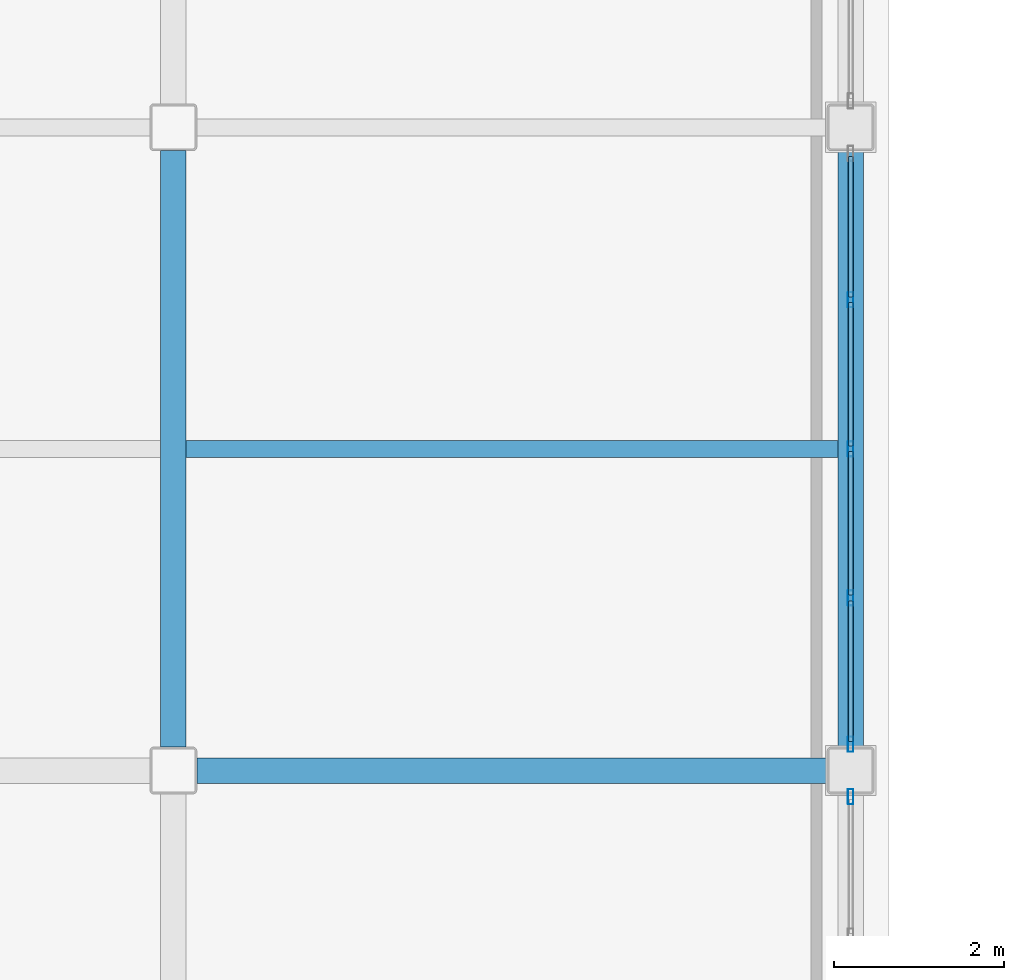
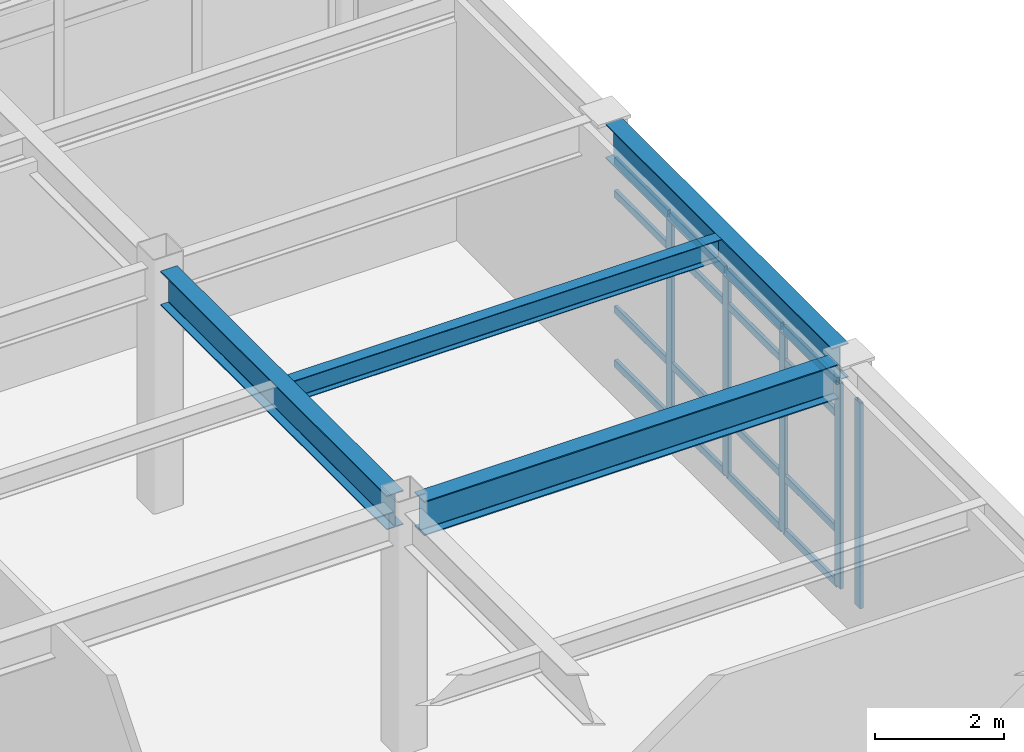
# One storey, part 58 of 154: 21 members, 4 beams, 2 elements without a shape of their own.
"""IFC4 building model written with IfcOpenShell, lengths in metres."""

from ifc_helpers import new_model, si_unit, direction, frame, origin, origin_2d, place, context, subcontext, project, spatial, hollow_rectangle, i_section, extrude, material, layer, layer_set, material_profile, profile_set, type_object, element, aggregate, save


model = new_model("IFC4")

# Units and contexts
model_context = context("Model", 3, precision=1e-05, world=origin(), true_north=direction((0.0, 1.0)))
body_context = subcontext(model_context, "Body", "Model", "MODEL_VIEW")
ifc_project = project(units=[si_unit("LENGTHUNIT", "METRE"), si_unit("AREAUNIT", "SQUARE_METRE"), si_unit("VOLUMEUNIT", "CUBIC_METRE"), si_unit("PLANEANGLEUNIT", "RADIAN"), si_unit("MASSUNIT", "GRAM", prefix="KILO")], contexts=[model_context])

# Site, building, storey
site_placement = place(None, origin())
site = spatial("IfcSite", under=ifc_project, at=site_placement, CompositionType="ELEMENT")
building_placement = place(site_placement, origin())
building = spatial("IfcBuilding", under=site, at=building_placement, Name="Kazehara Bluff Congress Hotel", CompositionType="ELEMENT")
storey_placement = place(building_placement, frame((0.0, 0.0, 10.199951171875)))
storey = spatial("IfcBuildingStorey", under=building, at=storey_placement, Name="L02", CompositionType="ELEMENT", Elevation=10.199951171875)

# Curtain wall, member
ifc_material_1 = material(Name="Anodised aluminium", Category="aluminium")
ifc_layer_1 = layer(ifc_material_1, 0.159912109375)
ifc_layer_set_1 = layer_set([ifc_layer_1], Name="Anodised aluminium")
curtain_wall_type_1 = type_object("IfcCurtainWallType", Name="TP-CW-58", PredefinedType="NOTDEFINED", material=ifc_layer_set_1)
curtain_wall_1_placement = place(storey_placement, origin())
curtain_wall_1 = element("IfcCurtainWall", 1, at=curtain_wall_1_placement, inside=storey, type_object=curtain_wall_type_1, Name="L02 curtain wall CW-58 CW-V4-L02-X10920-3228", PredefinedType="NOTDEFINED")
ifc_material_2 = material(Name="Anodised aluminium", Category="aluminium")
ifc_material_profile_1 = material_profile(ifc_material_2, hollow_rectangle(XDim=0.06494140625, YDim=0.179931640625, WallThickness=0.00390625, InnerFilletRadius=0.00390625, OuterFilletRadius=0.008056640625, at=origin_2d()))
ifc_profile_set_1 = profile_set([ifc_material_profile_1], Name="Anodised aluminium")
member_type_1 = type_object("IfcMemberType", Name="TP-CWM-02", PredefinedType="MULLION", material=ifc_profile_set_1)
member_1_placement = place(storey_placement, frame((109.199951171875, 40.592529296875, 0.0), z_axis=(0.0, 0.0, 1.0), x_axis=(-1.0, 0.0, 0.0)))
member_1 = element("IfcMember", 2, at=member_1_placement, type_object=member_type_1, Name="CW-58 mullion 6", PredefinedType="MULLION", context=body_context, shape_type="SweptSolid", body=[
    extrude(hollow_rectangle(XDim=0.06494140625, YDim=0.179931640625, WallThickness=0.00390625, InnerFilletRadius=0.00390625, OuterFilletRadius=0.008056640625, at=origin_2d()), origin(), (0.0, 0.0, 1.0), 3.885009765625),
])
aggregate(curtain_wall_1, [member_1])

# Curtain wall, members
ifc_material_3 = material(Name="Anodised aluminium", Category="aluminium")
ifc_layer_2 = layer(ifc_material_3, 0.159912109375)
ifc_layer_set_2 = layer_set([ifc_layer_2], Name="Anodised aluminium")
curtain_wall_type_2 = type_object("IfcCurtainWallType", Name="TP-CW-59", PredefinedType="NOTDEFINED", material=ifc_layer_set_2)
curtain_wall_2_placement = place(storey_placement, origin())
curtain_wall_2 = element("IfcCurtainWall", 3, at=curtain_wall_2_placement, inside=storey, type_object=curtain_wall_type_2, Name="L02 curtain wall CW-59 CW-V4-L02-X10920-4118", PredefinedType="NOTDEFINED")
member_2_placement = place(storey_placement, frame((109.199951171875, 41.20751953125, 0.0), z_axis=(0.0, 0.0, 1.0), x_axis=(-1.0, 0.0, 0.0)))
member_2 = element("IfcMember", 4, at=member_2_placement, type_object=member_type_1, Name="CW-59 mullion 1", PredefinedType="MULLION", context=body_context, shape_type="SweptSolid", body=[
    extrude(hollow_rectangle(XDim=0.06494140625, YDim=0.179931640625, WallThickness=0.00390625, InnerFilletRadius=0.00390625, OuterFilletRadius=0.008056640625, at=origin_2d()), origin(), (0.0, 0.0, 1.0), 3.885009765625),
])
member_3_placement = place(storey_placement, frame((109.199951171875, 42.925048828125, 0.0), z_axis=(0.0, 0.0, 1.0), x_axis=(-1.0, 0.0, 0.0)))
member_3 = element("IfcMember", 5, at=member_3_placement, type_object=member_type_1, Name="CW-59 mullion 2", PredefinedType="MULLION", context=body_context, shape_type="SweptSolid", body=[
    extrude(hollow_rectangle(XDim=0.06494140625, YDim=0.179931640625, WallThickness=0.00390625, InnerFilletRadius=0.00390625, OuterFilletRadius=0.008056640625, at=origin_2d()), origin(), (0.0, 0.0, 1.0), 3.885009765625),
])
member_4_placement = place(storey_placement, frame((109.199951171875, 44.675048828125, 0.0), z_axis=(0.0, 0.0, 1.0), x_axis=(-1.0, 0.0, 0.0)))
member_4 = element("IfcMember", 6, at=member_4_placement, type_object=member_type_1, Name="CW-59 mullion 3", PredefinedType="MULLION", context=body_context, shape_type="SweptSolid", body=[
    extrude(hollow_rectangle(XDim=0.06494140625, YDim=0.179931640625, WallThickness=0.00390625, InnerFilletRadius=0.00390625, OuterFilletRadius=0.008056640625, at=origin_2d()), origin(), (0.0, 0.0, 1.0), 3.885009765625),
])
member_5_placement = place(storey_placement, frame((109.199951171875, 46.425048828125, 0.0), z_axis=(0.0, 0.0, 1.0), x_axis=(-1.0, 0.0, 0.0)))
member_5 = element("IfcMember", 7, at=member_5_placement, type_object=member_type_1, Name="CW-59 mullion 4", PredefinedType="MULLION", context=body_context, shape_type="SweptSolid", body=[
    extrude(hollow_rectangle(XDim=0.06494140625, YDim=0.179931640625, WallThickness=0.00390625, InnerFilletRadius=0.00390625, OuterFilletRadius=0.008056640625, at=origin_2d()), origin(), (0.0, 0.0, 1.0), 3.885009765625),
])
ifc_material_4 = material(Name="Anodised aluminium", Category="aluminium")
ifc_material_profile_2 = material_profile(ifc_material_4, hollow_rectangle(XDim=0.06494140625, YDim=0.139892578125, WallThickness=0.00390625, InnerFilletRadius=0.00390625, OuterFilletRadius=0.008056640625, at=origin_2d()))
ifc_profile_set_2 = profile_set([ifc_material_profile_2], Name="Anodised aluminium")
member_type_2 = type_object("IfcMemberType", Name="TP-CWT-02", PredefinedType="USERDEFINED", material=ifc_profile_set_2)
member_6_placement = place(storey_placement, frame((109.199951171875, 41.239990234375, 0.032470703125), z_axis=(0.0, 1.0, 0.0), x_axis=(-1.0, 0.0, 0.0)))
member_6 = element("IfcMember", 8, at=member_6_placement, type_object=member_type_2, Name="CW-59 transom 1.1", ObjectType="TRANSOM", PredefinedType="USERDEFINED", context=body_context, shape_type="SweptSolid", body=[
    extrude(hollow_rectangle(XDim=0.06494140625, YDim=0.139892578125, WallThickness=0.00390625, InnerFilletRadius=0.00390625, OuterFilletRadius=0.008056640625, at=origin_2d()), origin(), (0.0, 0.0, 1.0), 1.652587890625),
])
member_7_placement = place(storey_placement, frame((109.199951171875, 41.239990234375, 1.050048828125), z_axis=(0.0, 1.0, 0.0), x_axis=(-1.0, 0.0, 0.0)))
member_7 = element("IfcMember", 9, at=member_7_placement, type_object=member_type_2, Name="CW-59 transom 1.2", ObjectType="TRANSOM", PredefinedType="USERDEFINED", context=body_context, shape_type="SweptSolid", body=[
    extrude(hollow_rectangle(XDim=0.06494140625, YDim=0.139892578125, WallThickness=0.00390625, InnerFilletRadius=0.00390625, OuterFilletRadius=0.008056640625, at=origin_2d()), origin(), (0.0, 0.0, 1.0), 1.652587890625),
])
member_8_placement = place(storey_placement, frame((109.199951171875, 41.239990234375, 3.235107421875), z_axis=(0.0, 1.0, 0.0), x_axis=(-1.0, 0.0, 0.0)))
member_8 = element("IfcMember", 10, at=member_8_placement, type_object=member_type_2, Name="CW-59 transom 1.3", ObjectType="TRANSOM", PredefinedType="USERDEFINED", context=body_context, shape_type="SweptSolid", body=[
    extrude(hollow_rectangle(XDim=0.06494140625, YDim=0.139892578125, WallThickness=0.00390625, InnerFilletRadius=0.00390625, OuterFilletRadius=0.008056640625, at=origin_2d()), origin(), (0.0, 0.0, 1.0), 1.652587890625),
])
member_9_placement = place(storey_placement, frame((109.199951171875, 41.239990234375, 3.8525390625), z_axis=(0.0, 1.0, 0.0), x_axis=(-1.0, 0.0, 0.0)))
member_9 = element("IfcMember", 11, at=member_9_placement, type_object=member_type_2, Name="CW-59 transom 1.4", ObjectType="TRANSOM", PredefinedType="USERDEFINED", context=body_context, shape_type="SweptSolid", body=[
    extrude(hollow_rectangle(XDim=0.06494140625, YDim=0.139892578125, WallThickness=0.00390625, InnerFilletRadius=0.00390625, OuterFilletRadius=0.008056640625, at=origin_2d()), origin(), (0.0, 0.0, 1.0), 1.652587890625),
])
member_10_placement = place(storey_placement, frame((109.199951171875, 42.95751953125, 0.032470703125), z_axis=(0.0, 1.0, 0.0), x_axis=(-1.0, 0.0, 0.0)))
member_10 = element("IfcMember", 12, at=member_10_placement, type_object=member_type_2, Name="CW-59 transom 2.1", ObjectType="TRANSOM", PredefinedType="USERDEFINED", context=body_context, shape_type="SweptSolid", body=[
    extrude(hollow_rectangle(XDim=0.06494140625, YDim=0.139892578125, WallThickness=0.00390625, InnerFilletRadius=0.00390625, OuterFilletRadius=0.008056640625, at=origin_2d()), origin(), (0.0, 0.0, 1.0), 1.68505859375),
])
member_11_placement = place(storey_placement, frame((109.199951171875, 42.95751953125, 1.050048828125), z_axis=(0.0, 1.0, 0.0), x_axis=(-1.0, 0.0, 0.0)))
member_11 = element("IfcMember", 13, at=member_11_placement, type_object=member_type_2, Name="CW-59 transom 2.2", ObjectType="TRANSOM", PredefinedType="USERDEFINED", context=body_context, shape_type="SweptSolid", body=[
    extrude(hollow_rectangle(XDim=0.06494140625, YDim=0.139892578125, WallThickness=0.00390625, InnerFilletRadius=0.00390625, OuterFilletRadius=0.008056640625, at=origin_2d()), origin(), (0.0, 0.0, 1.0), 1.68505859375),
])
member_12_placement = place(storey_placement, frame((109.199951171875, 42.95751953125, 3.235107421875), z_axis=(0.0, 1.0, 0.0), x_axis=(-1.0, 0.0, 0.0)))
member_12 = element("IfcMember", 14, at=member_12_placement, type_object=member_type_2, Name="CW-59 transom 2.3", ObjectType="TRANSOM", PredefinedType="USERDEFINED", context=body_context, shape_type="SweptSolid", body=[
    extrude(hollow_rectangle(XDim=0.06494140625, YDim=0.139892578125, WallThickness=0.00390625, InnerFilletRadius=0.00390625, OuterFilletRadius=0.008056640625, at=origin_2d()), origin(), (0.0, 0.0, 1.0), 1.68505859375),
])
member_13_placement = place(storey_placement, frame((109.199951171875, 42.95751953125, 3.8525390625), z_axis=(0.0, 1.0, 0.0), x_axis=(-1.0, 0.0, 0.0)))
member_13 = element("IfcMember", 15, at=member_13_placement, type_object=member_type_2, Name="CW-59 transom 2.4", ObjectType="TRANSOM", PredefinedType="USERDEFINED", context=body_context, shape_type="SweptSolid", body=[
    extrude(hollow_rectangle(XDim=0.06494140625, YDim=0.139892578125, WallThickness=0.00390625, InnerFilletRadius=0.00390625, OuterFilletRadius=0.008056640625, at=origin_2d()), origin(), (0.0, 0.0, 1.0), 1.68505859375),
])
member_14_placement = place(storey_placement, frame((109.199951171875, 44.70751953125, 0.032470703125), z_axis=(0.0, 1.0, 0.0), x_axis=(-1.0, 0.0, 0.0)))
member_14 = element("IfcMember", 16, at=member_14_placement, type_object=member_type_2, Name="CW-59 transom 3.1", ObjectType="TRANSOM", PredefinedType="USERDEFINED", context=body_context, shape_type="SweptSolid", body=[
    extrude(hollow_rectangle(XDim=0.06494140625, YDim=0.139892578125, WallThickness=0.00390625, InnerFilletRadius=0.00390625, OuterFilletRadius=0.008056640625, at=origin_2d()), origin(), (0.0, 0.0, 1.0), 1.68505859375),
])
member_15_placement = place(storey_placement, frame((109.199951171875, 44.70751953125, 1.050048828125), z_axis=(0.0, 1.0, 0.0), x_axis=(-1.0, 0.0, 0.0)))
member_15 = element("IfcMember", 17, at=member_15_placement, type_object=member_type_2, Name="CW-59 transom 3.2", ObjectType="TRANSOM", PredefinedType="USERDEFINED", context=body_context, shape_type="SweptSolid", body=[
    extrude(hollow_rectangle(XDim=0.06494140625, YDim=0.139892578125, WallThickness=0.00390625, InnerFilletRadius=0.00390625, OuterFilletRadius=0.008056640625, at=origin_2d()), origin(), (0.0, 0.0, 1.0), 1.68505859375),
])
member_16_placement = place(storey_placement, frame((109.199951171875, 44.70751953125, 3.235107421875), z_axis=(0.0, 1.0, 0.0), x_axis=(-1.0, 0.0, 0.0)))
member_16 = element("IfcMember", 18, at=member_16_placement, type_object=member_type_2, Name="CW-59 transom 3.3", ObjectType="TRANSOM", PredefinedType="USERDEFINED", context=body_context, shape_type="SweptSolid", body=[
    extrude(hollow_rectangle(XDim=0.06494140625, YDim=0.139892578125, WallThickness=0.00390625, InnerFilletRadius=0.00390625, OuterFilletRadius=0.008056640625, at=origin_2d()), origin(), (0.0, 0.0, 1.0), 1.68505859375),
])
member_17_placement = place(storey_placement, frame((109.199951171875, 44.70751953125, 3.8525390625), z_axis=(0.0, 1.0, 0.0), x_axis=(-1.0, 0.0, 0.0)))
member_17 = element("IfcMember", 19, at=member_17_placement, type_object=member_type_2, Name="CW-59 transom 3.4", ObjectType="TRANSOM", PredefinedType="USERDEFINED", context=body_context, shape_type="SweptSolid", body=[
    extrude(hollow_rectangle(XDim=0.06494140625, YDim=0.139892578125, WallThickness=0.00390625, InnerFilletRadius=0.00390625, OuterFilletRadius=0.008056640625, at=origin_2d()), origin(), (0.0, 0.0, 1.0), 1.68505859375),
])
member_18_placement = place(storey_placement, frame((109.199951171875, 46.45751953125, 0.032470703125), z_axis=(0.0, 1.0, 0.0), x_axis=(-1.0, 0.0, 0.0)))
member_18 = element("IfcMember", 20, at=member_18_placement, type_object=member_type_2, Name="CW-59 transom 4.1", ObjectType="TRANSOM", PredefinedType="USERDEFINED", context=body_context, shape_type="SweptSolid", body=[
    extrude(hollow_rectangle(XDim=0.06494140625, YDim=0.139892578125, WallThickness=0.00390625, InnerFilletRadius=0.00390625, OuterFilletRadius=0.008056640625, at=origin_2d()), origin(), (0.0, 0.0, 1.0), 1.652587890625),
])
member_19_placement = place(storey_placement, frame((109.199951171875, 46.45751953125, 1.050048828125), z_axis=(0.0, 1.0, 0.0), x_axis=(-1.0, 0.0, 0.0)))
member_19 = element("IfcMember", 21, at=member_19_placement, type_object=member_type_2, Name="CW-59 transom 4.2", ObjectType="TRANSOM", PredefinedType="USERDEFINED", context=body_context, shape_type="SweptSolid", body=[
    extrude(hollow_rectangle(XDim=0.06494140625, YDim=0.139892578125, WallThickness=0.00390625, InnerFilletRadius=0.00390625, OuterFilletRadius=0.008056640625, at=origin_2d()), origin(), (0.0, 0.0, 1.0), 1.652587890625),
])
member_20_placement = place(storey_placement, frame((109.199951171875, 46.45751953125, 3.235107421875), z_axis=(0.0, 1.0, 0.0), x_axis=(-1.0, 0.0, 0.0)))
member_20 = element("IfcMember", 22, at=member_20_placement, type_object=member_type_2, Name="CW-59 transom 4.3", ObjectType="TRANSOM", PredefinedType="USERDEFINED", context=body_context, shape_type="SweptSolid", body=[
    extrude(hollow_rectangle(XDim=0.06494140625, YDim=0.139892578125, WallThickness=0.00390625, InnerFilletRadius=0.00390625, OuterFilletRadius=0.008056640625, at=origin_2d()), origin(), (0.0, 0.0, 1.0), 1.652587890625),
])
member_21_placement = place(storey_placement, frame((109.199951171875, 46.45751953125, 3.8525390625), z_axis=(0.0, 1.0, 0.0), x_axis=(-1.0, 0.0, 0.0)))
member_21 = element("IfcMember", 23, at=member_21_placement, type_object=member_type_2, Name="CW-59 transom 4.4", ObjectType="TRANSOM", PredefinedType="USERDEFINED", context=body_context, shape_type="SweptSolid", body=[
    extrude(hollow_rectangle(XDim=0.06494140625, YDim=0.139892578125, WallThickness=0.00390625, InnerFilletRadius=0.00390625, OuterFilletRadius=0.008056640625, at=origin_2d()), origin(), (0.0, 0.0, 1.0), 1.652587890625),
])
aggregate(curtain_wall_2, [member_2, member_3, member_4, member_5, member_6, member_7, member_8, member_9, member_10, member_11, member_12, member_13, member_14, member_15, member_16, member_17, member_18, member_19, member_20, member_21])

# Beams
ifc_material_5 = material(Name="Steel SN490B", Category="steel")
ifc_material_profile_3 = material_profile(ifc_material_5, i_section(OverallWidth=0.300048828125, OverallDepth=0.64990234375, WebThickness=0.011962890625, FlangeThickness=0.02001953125, FilletRadius=0.012939453125, at=origin_2d()))
ifc_profile_set_3 = profile_set([ifc_material_profile_3], Name="Steel SN490B")
beam_type_1 = type_object("IfcBeamType", Name="TP-G-03", PredefinedType="BEAM", material=ifc_profile_set_3)
for number, where, z_axis, x_axis, name in (
    (24, (101.25, 41.175048828125, 4.235107421875), (0.0, 1.0, 0.0), (-1.0, 0.0, 0.0), "L02 girder G-03 87"),
    (25, (109.199951171875, 41.175048828125, 4.235107421875), (0.0, 1.0, 0.0), (-1.0, 0.0, 0.0), "L02 girder G-03 92"),
):
    element("IfcBeam", number, at=place(storey_placement, frame(where, z_axis=z_axis, x_axis=x_axis)), inside=storey, type_object=beam_type_1, Name=name, PredefinedType="BEAM", context=body_context, shape_type="SweptSolid", body=[
        extrude(i_section(OverallWidth=0.300048828125, OverallDepth=0.64990234375, WebThickness=0.011962890625, FlangeThickness=0.02001953125, FilletRadius=0.012939453125, at=origin_2d()), origin(), (0.0, 0.0, 1.0), 7.0),
    ])
beam_1_placement = place(storey_placement, frame((101.52490234375, 40.89990234375, 4.235107421875), z_axis=(1.0, 0.0, 0.0), x_axis=(0.0, 1.0, 0.0)))
element("IfcBeam", 26, at=beam_1_placement, inside=storey, type_object=beam_type_1, Name="L02 girder G-03 117", PredefinedType="BEAM", context=body_context, shape_type="SweptSolid", body=[
    extrude(i_section(OverallWidth=0.300048828125, OverallDepth=0.64990234375, WebThickness=0.011962890625, FlangeThickness=0.02001953125, FilletRadius=0.012939453125, at=origin_2d()), origin(), (0.0, 0.0, 1.0), 7.400146484375),
])
ifc_material_6 = material(Name="Steel SN400B", Category="steel")
ifc_material_profile_4 = material_profile(ifc_material_6, i_section(OverallWidth=0.199951171875, OverallDepth=0.39990234375, WebThickness=0.008056640625, FlangeThickness=0.012939453125, FilletRadius=0.012939453125, at=origin_2d()))
ifc_profile_set_4 = profile_set([ifc_material_profile_4], Name="Steel SN400B")
beam_type_2 = type_object("IfcBeamType", Name="TP-J-03", PredefinedType="JOIST", material=ifc_profile_set_4)
beam_2_placement = place(storey_placement, frame((101.39990234375, 44.675048828125, 4.360107421875), z_axis=(1.0, 0.0, 0.0), x_axis=(0.0, 1.0, 0.0)))
element("IfcBeam", 27, at=beam_2_placement, inside=storey, type_object=beam_type_2, Name="L02 secondary joist J-03 25", PredefinedType="JOIST", context=body_context, shape_type="SweptSolid", body=[
    extrude(i_section(OverallWidth=0.199951171875, OverallDepth=0.39990234375, WebThickness=0.008056640625, FlangeThickness=0.012939453125, FilletRadius=0.012939453125, at=origin_2d()), origin(), (0.0, 0.0, 1.0), 7.650146484375),
])

save(model, "model.ifc")
